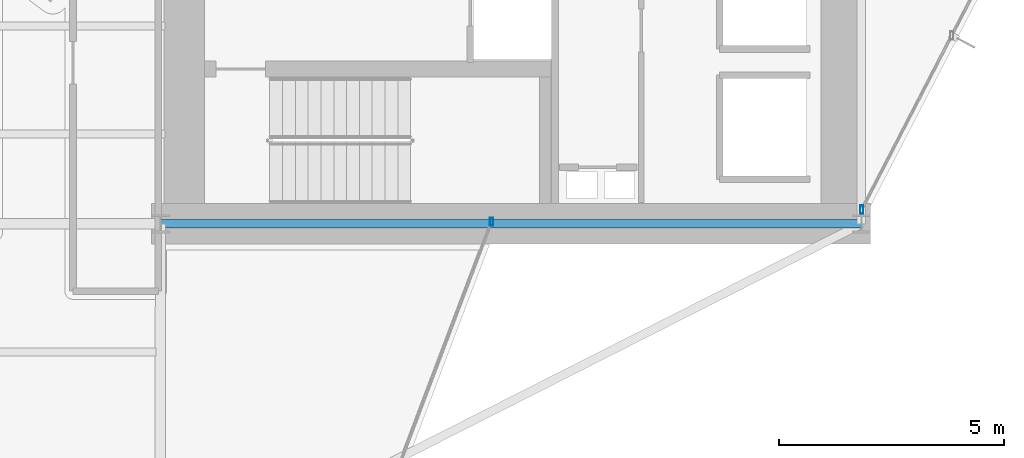
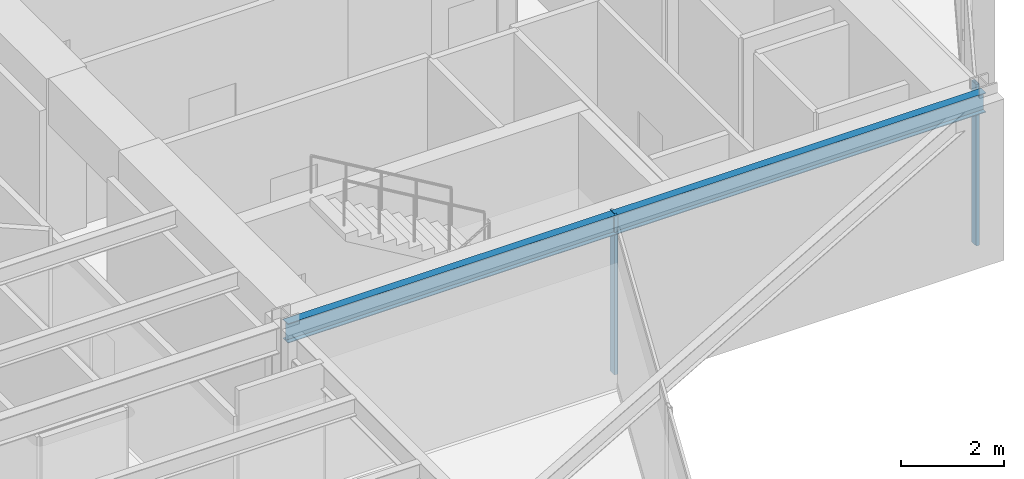
# One storey, part 15 of 30: 2 members, 1 beam, 2 elements without a shape of their own.
"""IFC4 building model written with IfcOpenShell, lengths in metres."""

from ifc_helpers import new_model, si_unit, direction, frame, origin, origin_2d, place, context, subcontext, project, spatial, hollow_rectangle, i_section, extrude, material, layer, layer_set, material_profile, profile_set, type_object, element, aggregate, save


model = new_model("IFC4")

# Units and contexts
model_context = context("Model", 3, precision=1e-05, world=origin(), true_north=direction((0.0, 1.0)))
body_context = subcontext(model_context, "Body", "Model", "MODEL_VIEW")
ifc_project = project(units=[si_unit("LENGTHUNIT", "METRE"), si_unit("AREAUNIT", "SQUARE_METRE"), si_unit("VOLUMEUNIT", "CUBIC_METRE"), si_unit("PLANEANGLEUNIT", "RADIAN"), si_unit("MASSUNIT", "GRAM", prefix="KILO")], contexts=[model_context])

# Site, building, storey
site_placement = place(None, origin())
site = spatial("IfcSite", under=ifc_project, at=site_placement, CompositionType="ELEMENT")
building_placement = place(site_placement, origin())
building = spatial("IfcBuilding", under=site, at=building_placement, Name="Veymaron Broadcast Tower", CompositionType="ELEMENT")
storey_placement = place(building_placement, frame((0.0, 0.0, 37.800048828125)))
storey = spatial("IfcBuildingStorey", under=building, at=storey_placement, Name="L07", CompositionType="ELEMENT", Elevation=37.800048828125)

# Beam
ifc_material_1 = material(Name="Structural steel ASTM A992 Gr 50", Category="steel")
ifc_material_profile_1 = material_profile(ifc_material_1, i_section(OverallWidth=0.19091796875, OverallDepth=0.4599609375, WebThickness=0.010009765625, FlangeThickness=0.01611328125, at=origin_2d()), Name="W460X82")
ifc_profile_set_1 = profile_set([ifc_material_profile_1], Name="Structural steel ASTM A992 Gr 50")
beam_type = type_object("IfcBeamType", Name="BM-SP1", PredefinedType="SPANDREL", material=ifc_profile_set_1)
beam_placement = place(storey_placement, frame((39.0, 16.0, 3.579833984375), z_axis=(1.0, 0.0, 0.0), x_axis=(0.0, 1.0, 0.0)))
element("IfcBeam", 1, at=beam_placement, inside=storey, type_object=beam_type, Name="L07 primary structural floor girder", PredefinedType="SPANDREL", context=body_context, shape_type="SweptSolid", body=[
    extrude(i_section(OverallWidth=0.19091796875, OverallDepth=0.4599609375, WebThickness=0.010009765625, FlangeThickness=0.01611328125, at=origin_2d()), origin(), (0.0, 0.0, 1.0), 15.60009765625),
])

# Curtain wall, member
ifc_material_2 = material(Name="Anodised aluminium AA 6063-T6 and laminated low-E dark glass", Category="aluminium")
ifc_layer = layer(ifc_material_2, 0.179931640625)
ifc_layer_set = layer_set([ifc_layer], Name="Anodised aluminium AA 6063-T6 and laminated low-E dark glass")
curtain_wall_type = type_object("IfcCurtainWallType", Name="CW-SYS-02", PredefinedType="NOTDEFINED", material=ifc_layer_set)
curtain_wall_1_placement = place(storey_placement, origin())
curtain_wall_1 = element("IfcCurtainWall", 2, at=curtain_wall_1_placement, inside=storey, type_object=curtain_wall_type, Name="L07 dark-glass curtain wall CW-L07-E2-1", PredefinedType="NOTDEFINED")
ifc_material_3 = material(Name="Anodised aluminium AA 6063-T6", Category="aluminium")
ifc_material_profile_2 = material_profile(ifc_material_3, hollow_rectangle(XDim=0.074951171875, YDim=0.179931640625, WallThickness=0.0048828125, at=origin_2d()), Name="AL180X75X5")
ifc_profile_set_2 = profile_set([ifc_material_profile_2], Name="Anodised aluminium AA 6063-T6")
member_type = type_object("IfcMemberType", Name="CW-MUL-02", PredefinedType="MULLION", material=ifc_profile_set_2)
member_1_placement = place(storey_placement, frame((54.607666015625, 16.319580078125, 0.0), z_axis=(0.0, 0.0, 1.0), x_axis=(1.0, 0.0, 0.0)))
member_1 = element("IfcMember", 3, at=member_1_placement, type_object=member_type, Name="CW-L07-E2-1 mullion 0", PredefinedType="MULLION", context=body_context, shape_type="SweptSolid", body=[
    extrude(hollow_rectangle(XDim=0.074951171875, YDim=0.179931640625, WallThickness=0.0048828125, at=origin_2d()), origin(), (0.0, 0.0, 1.0), 3.81005859375),
])
aggregate(curtain_wall_1, [member_1])

curtain_wall_2_placement = place(storey_placement, origin())
curtain_wall_2 = element("IfcCurtainWall", 4, at=curtain_wall_2_placement, inside=storey, type_object=curtain_wall_type, Name="L07 dark-glass curtain wall CW-L07-E20-1", PredefinedType="NOTDEFINED")
member_2_placement = place(storey_placement, frame((46.3662109375, 16.049560546875, 0.0), z_axis=(0.0, 0.0, 1.0), x_axis=(1.0, 0.0, 0.0)))
member_2 = element("IfcMember", 5, at=member_2_placement, type_object=member_type, Name="CW-L07-E20-1 mullion 2", PredefinedType="MULLION", context=body_context, shape_type="SweptSolid", body=[
    extrude(hollow_rectangle(XDim=0.074951171875, YDim=0.179931640625, WallThickness=0.0048828125, at=origin_2d()), origin(), (0.0, 0.0, 1.0), 3.81005859375),
])
aggregate(curtain_wall_2, [member_2])

save(model, "model.ifc")
